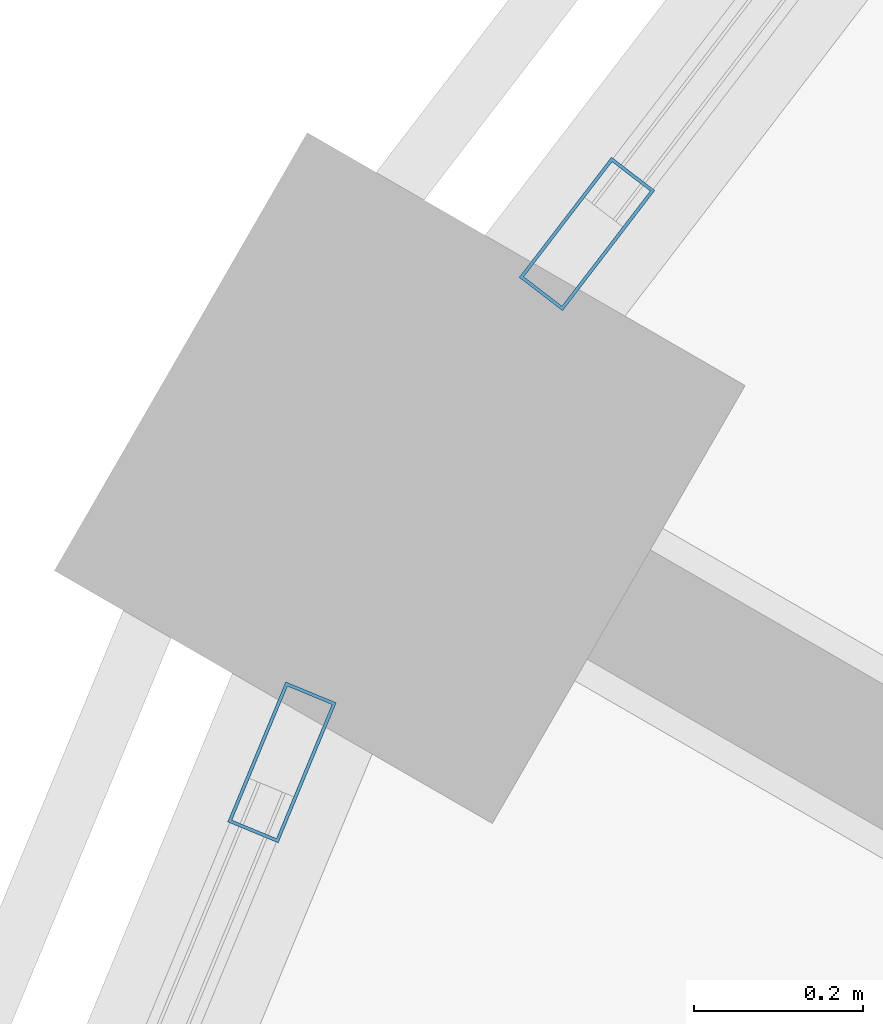
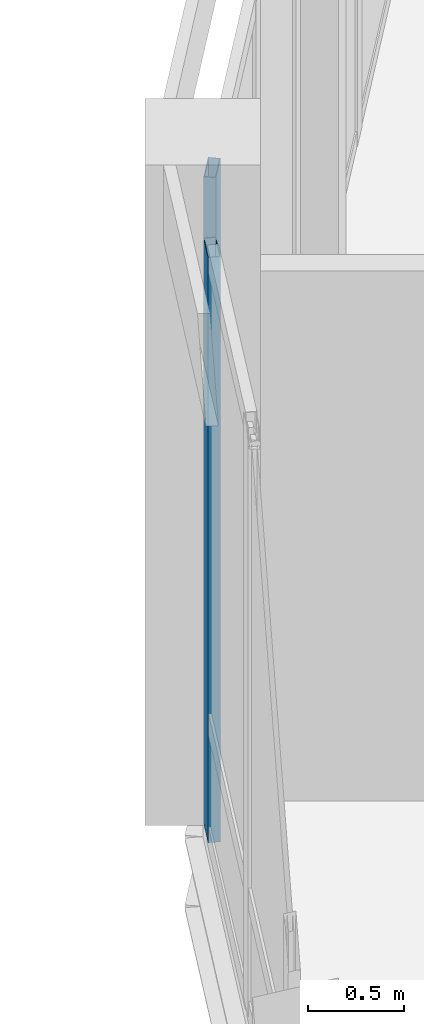
# One storey, part 53 of 170: 2 members, 2 elements without a shape of their own.
"""IFC4 building model written with IfcOpenShell, lengths in metres."""

from ifc_helpers import new_model, si_unit, direction, frame, origin, origin_2d, place, context, subcontext, project, spatial, hollow_rectangle, extrude, material, material_profile, profile_set, type_object, element, aggregate, save


model = new_model("IFC4")

# Units and contexts
model_context = context("Model", 3, precision=1e-05, world=origin(), true_north=direction((0.0, 1.0)))
body_context = subcontext(model_context, "Body", "Model", "MODEL_VIEW")
ifc_project = project(units=[si_unit("LENGTHUNIT", "METRE"), si_unit("AREAUNIT", "SQUARE_METRE"), si_unit("VOLUMEUNIT", "CUBIC_METRE"), si_unit("PLANEANGLEUNIT", "RADIAN"), si_unit("MASSUNIT", "GRAM", prefix="KILO")], contexts=[model_context])

# Site, building, storey
site_placement = place(None, origin())
site = spatial("IfcSite", under=ifc_project, at=site_placement, CompositionType="ELEMENT")
building_placement = place(site_placement, origin())
building = spatial("IfcBuilding", under=site, at=building_placement, Name="Vondelvale Polytechnic", CompositionType="ELEMENT")
storey_placement = place(building_placement, frame((0.0, 0.0, 5.39990234375)))
storey = spatial("IfcBuildingStorey", under=building, at=storey_placement, Name="L01", CompositionType="ELEMENT", Elevation=5.39990234375)

# Curtain wall, member
ifc_material_1 = material(Name="Glulam GL18 structural Tasmanian oak (fb = 42 MPa)", Category="wood")
curtain_wall_type = type_object("IfcCurtainWallType", Name="CW-RING-OUTER", PredefinedType="NOTDEFINED", material=ifc_material_1)
curtain_wall_1_placement = place(storey_placement, origin())
curtain_wall_1 = element("IfcCurtainWall", 1, at=curtain_wall_1_placement, inside=storey, type_object=curtain_wall_type, Name="L01 architectural curtain wall CW-04-216", PredefinedType="NOTDEFINED")
ifc_material_2 = material(Name="Anodised extruded aluminium 6063-T6", Category="aluminium")
ifc_material_profile = material_profile(ifc_material_2, hollow_rectangle(XDim=0.06494140625, YDim=0.179931640625, WallThickness=0.00390625, at=origin_2d()), Name="CW-MUL-180x65")
ifc_profile_set = profile_set([ifc_material_profile], Name="Anodised extruded aluminium 6063-T6")
member_type = type_object("IfcMemberType", Name="CW-MUL-65x180", PredefinedType="MULLION", material=ifc_profile_set)
member_1_placement = place(storey_placement, frame((62.385009765625, 95.289794921875, 0.0), z_axis=(0.0, 0.0, 1.0), x_axis=(0.793333825656, -0.608786860133, 0.0)))
member_1 = element("IfcMember", 2, at=member_1_placement, type_object=member_type, Name="CW-04-216 mullion 3", PredefinedType="MULLION", context=body_context, shape_type="SweptSolid", body=[
    extrude(hollow_rectangle(XDim=0.06494140625, YDim=0.179931640625, WallThickness=0.00390625, at=origin_2d()), origin(), (0.0, 0.0, 1.0), 3.72021484375),
])
aggregate(curtain_wall_1, [member_1])

curtain_wall_2_placement = place(storey_placement, origin())
curtain_wall_2 = element("IfcCurtainWall", 3, at=curtain_wall_2_placement, inside=storey, type_object=curtain_wall_type, Name="L01 architectural curtain wall CW-04-230", PredefinedType="NOTDEFINED")
member_2_placement = place(storey_placement, frame((62.02294921875, 94.66259765625, 0.0), z_axis=(0.0, 0.0, 1.0), x_axis=(0.923882033442, -0.382677394529, 0.0)))
member_2 = element("IfcMember", 4, at=member_2_placement, type_object=member_type, Name="CW-04-230 mullion 1", PredefinedType="MULLION", context=body_context, shape_type="SweptSolid", body=[
    extrude(hollow_rectangle(XDim=0.06494140625, YDim=0.179931640625, WallThickness=0.00390625, at=origin_2d()), origin(), (0.0, 0.0, 1.0), 3.72021484375),
])
aggregate(curtain_wall_2, [member_2])

save(model, "model.ifc")
